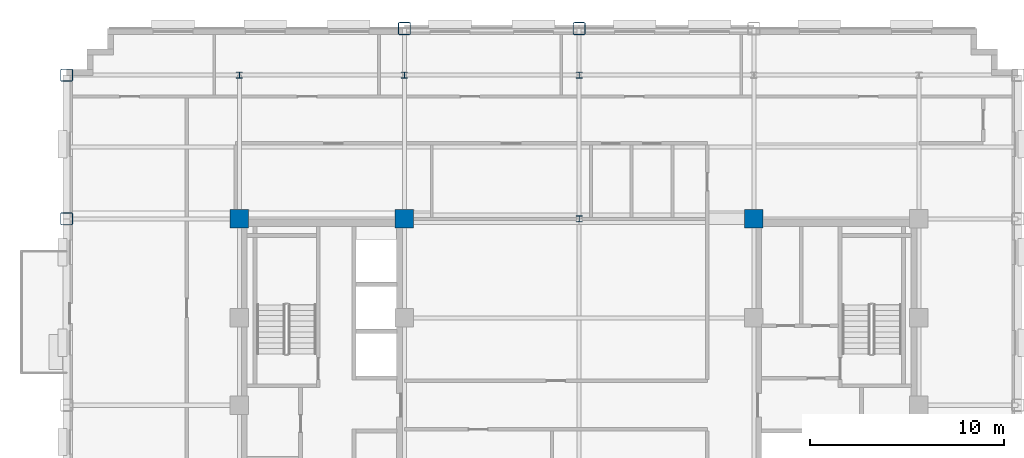
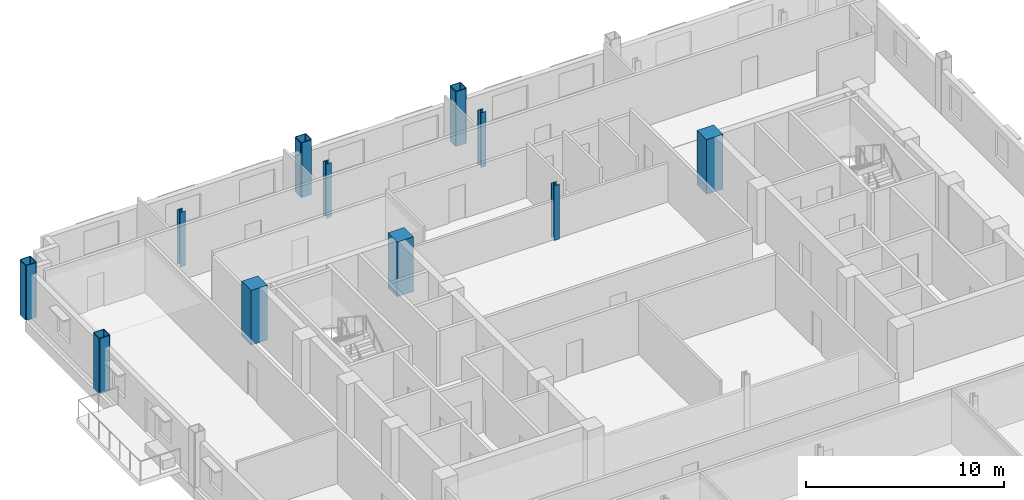
# One storey, part 3 of 14: 11 columns.
"""IFC4 building model written with IfcOpenShell, lengths in metres."""

from ifc_helpers import new_model, si_unit, direction, frame, origin, origin_2d, place, context, subcontext, project, spatial, rectangle, hollow_rectangle, i_section, extrude, material, material_profile, profile_set, type_object, element, save


model = new_model("IFC4")

# Units and contexts
model_context = context("Model", 3, precision=1e-05, world=origin(), true_north=direction((0.0, 1.0)))
body_context = subcontext(model_context, "Body", "Model", "MODEL_VIEW")
ifc_project = project(units=[si_unit("LENGTHUNIT", "METRE"), si_unit("AREAUNIT", "SQUARE_METRE"), si_unit("VOLUMEUNIT", "CUBIC_METRE"), si_unit("PLANEANGLEUNIT", "RADIAN"), si_unit("MASSUNIT", "GRAM", prefix="KILO")], contexts=[model_context])

# Site, building, storey
site_placement = place(None, origin())
site = spatial("IfcSite", under=ifc_project, at=site_placement, CompositionType="ELEMENT")
building_placement = place(site_placement, origin())
building = spatial("IfcBuilding", under=site, at=building_placement, Name="Nuvemarco Arch Tower", CompositionType="ELEMENT")
storey_placement = place(building_placement, frame((0.0, 0.0, 171.300048828125)))
storey = spatial("IfcBuildingStorey", under=building, at=storey_placement, Name="L45", CompositionType="ELEMENT", Elevation=171.300048828125)

# Columns
ifc_material_1 = material(Name="Concrete C50/60", Category="concrete")
ifc_material_profile_1 = material_profile(ifc_material_1, rectangle(XDim=0.949951171875, YDim=0.949951171875, at=origin_2d()), Name="RC-COL-950x950")
ifc_profile_set_1 = profile_set([ifc_material_profile_1], Name="Concrete C50/60")
column_type_1 = type_object("IfcColumnType", Name="COL-CORE-950", PredefinedType="COLUMN", material=ifc_profile_set_1)
for number, where, z_axis, x_axis, name in (
    (1, (-17.5, 9.60009765625, 0.0), (0.0, 0.0, 1.0), (1.0, 0.0, 0.0), "L45 column CC_-17.5_+9.6"),
    (2, (-9.0, 9.60009765625, 0.0), (0.0, 0.0, 1.0), (1.0, 0.0, 0.0), "L45 column CC_-9.0_+9.6"),
    (3, (9.0, 9.60009765625, 0.0), (0.0, 0.0, 1.0), (1.0, 0.0, 0.0), "L45 column CC_+9.0_+9.6"),
):
    element("IfcColumn", number, at=place(storey_placement, frame(where, z_axis=z_axis, x_axis=x_axis)), inside=storey, type_object=column_type_1, Name=name, PredefinedType="COLUMN", context=body_context, shape_type="SweptSolid", body=[
        extrude(rectangle(XDim=0.949951171875, YDim=0.949951171875, at=origin_2d()), origin(), (0.0, 0.0, 1.0), 3.369873046875),
    ])
ifc_material_2 = material(Name="Steel S355", Category="steel")
ifc_material_profile_2 = material_profile(ifc_material_2, hollow_rectangle(XDim=0.64990234375, YDim=0.64990234375, WallThickness=0.0400390625, InnerFilletRadius=0.0400390625, OuterFilletRadius=0.080078125, at=origin_2d()), Name="SHS650x650x40")
ifc_profile_set_2 = profile_set([ifc_material_profile_2], Name="Steel S355")
column_type_2 = type_object("IfcColumnType", Name="COL-EXO-650", PredefinedType="COLUMN", material=ifc_profile_set_2)
for number, where, z_axis, x_axis, name in (
    (4, (-26.39990234375, 9.60009765625, 0.0), (0.0, 0.0, 1.0), (1.0, 0.0, 0.0), "L45 column CX_-26.4_+9.6"),
    (5, (-26.39990234375, 17.0, 0.0), (0.0, 0.0, 1.0), (1.0, 0.0, 0.0), "L45 column CX_-26.4_+17.0"),
    (6, (-9.0, 19.39990234375, 0.0), (0.0, 0.0, 1.0), (1.0, 0.0, 0.0), "L45 column CY_-9.0_+19.4"),
    (7, (0.0, 19.39990234375, 0.0), (0.0, 0.0, 1.0), (1.0, 0.0, 0.0), "L45 column CY_+0.0_+19.4"),
):
    element("IfcColumn", number, at=place(storey_placement, frame(where, z_axis=z_axis, x_axis=x_axis)), inside=storey, type_object=column_type_2, Name=name, PredefinedType="COLUMN", context=body_context, shape_type="SweptSolid", body=[
        extrude(hollow_rectangle(XDim=0.64990234375, YDim=0.64990234375, WallThickness=0.0400390625, InnerFilletRadius=0.0400390625, OuterFilletRadius=0.080078125, at=origin_2d()), origin(), (0.0, 0.0, 1.0), 3.369873046875),
    ])
ifc_material_profile_3 = material_profile(ifc_material_2, i_section(OverallWidth=0.31005859375, OverallDepth=0.31005859375, WebThickness=0.015380859375, FlangeThickness=0.015380859375, FilletRadius=0.014892578125, at=origin_2d()), Name="HP310x110")
ifc_profile_set_3 = profile_set([ifc_material_profile_3], Name="Steel S355")
column_type_3 = type_object("IfcColumnType", Name="COL-STL-HP310", PredefinedType="COLUMN", material=ifc_profile_set_3)
for number, where, z_axis, x_axis, name in (
    (8, (0.0, 9.60009765625, 0.0), (0.0, 0.0, 1.0), (1.0, 0.0, 0.0), "L45 column CI_+0.0_+9.6"),
    (9, (0.0, 17.0, 0.0), (0.0, 0.0, 1.0), (1.0, 0.0, 0.0), "L45 column CI_+0.0_+17.0"),
    (10, (-17.5, 17.0, 0.0), (0.0, 0.0, 1.0), (1.0, 0.0, 0.0), "L45 column CI_-17.5_+17.0"),
    (11, (-9.0, 17.0, 0.0), (0.0, 0.0, 1.0), (1.0, 0.0, 0.0), "L45 column CI_-9.0_+17.0"),
):
    element("IfcColumn", number, at=place(storey_placement, frame(where, z_axis=z_axis, x_axis=x_axis)), inside=storey, type_object=column_type_3, Name=name, PredefinedType="COLUMN", context=body_context, shape_type="SweptSolid", body=[
        extrude(i_section(OverallWidth=0.31005859375, OverallDepth=0.31005859375, WebThickness=0.015380859375, FlangeThickness=0.015380859375, FilletRadius=0.014892578125, at=origin_2d()), origin(), (0.0, 0.0, 1.0), 3.369873046875),
    ])

save(model, "model.ifc")
